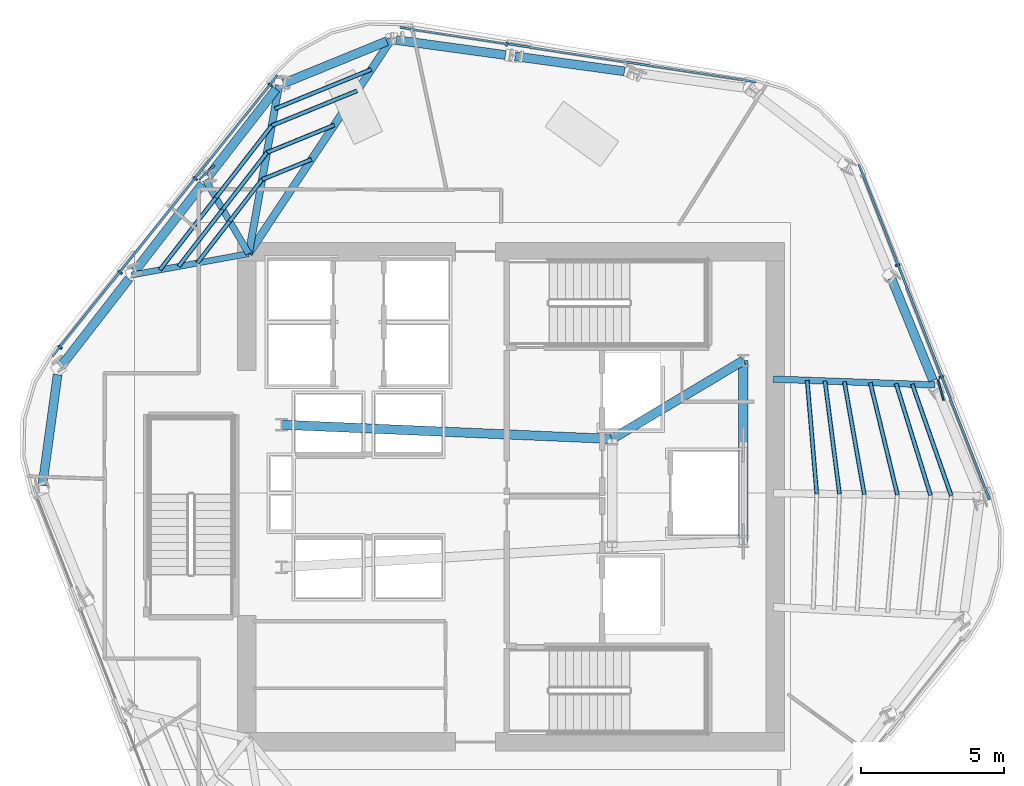
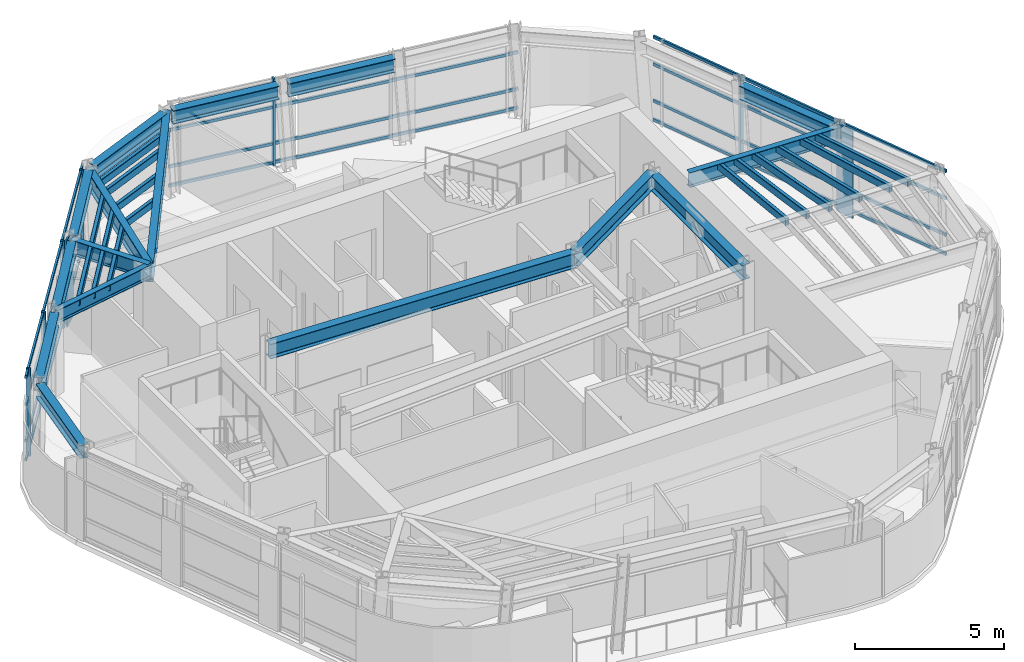
# One storey, part 3 of 12: 36 members, 16 beams, 3 elements without a shape of their own.
"""IFC4 building model written with IfcOpenShell, lengths in metres."""

from ifc_helpers import new_model, si_unit, direction, frame, origin, origin_2d, place, context, subcontext, project, spatial, rectangle, hollow_rectangle, i_section, extrude, material, layer, layer_set, material_profile, profile_set, type_object, element, aggregate, save


model = new_model("IFC4")

# Units and contexts
model_context = context("Model", 3, precision=1e-05, world=origin(), true_north=direction((0.0, 1.0)))
body_context = subcontext(model_context, "Body", "Model", "MODEL_VIEW")
ifc_project = project(units=[si_unit("LENGTHUNIT", "METRE"), si_unit("AREAUNIT", "SQUARE_METRE"), si_unit("VOLUMEUNIT", "CUBIC_METRE"), si_unit("PLANEANGLEUNIT", "RADIAN"), si_unit("MASSUNIT", "GRAM", prefix="KILO")], contexts=[model_context])

# Site, building, storey
site_placement = place(None, origin())
site = spatial("IfcSite", under=ifc_project, at=site_placement, CompositionType="ELEMENT")
building_placement = place(site_placement, origin())
building = spatial("IfcBuilding", under=site, at=building_placement, Name="Valkerne Bourse Tower", CompositionType="ELEMENT")
storey_placement = place(building_placement, frame((0.0, 0.0, 243.60009765625)))
storey = spatial("IfcBuildingStorey", under=building, at=storey_placement, Name="L62", CompositionType="ELEMENT", Elevation=243.60009765625)

# Beams
ifc_material_1 = material(Name="Steel ASTM A992", Category="steel")
ifc_material_profile_1 = material_profile(ifc_material_1, i_section(OverallWidth=0.31494140625, OverallDepth=0.5537109375, WebThickness=0.0166015625, FlangeThickness=0.026123046875, FilletRadius=0.020263671875, at=origin_2d()), Name="W21X132")
ifc_profile_set_1 = profile_set([ifc_material_profile_1], Name="Steel ASTM A992")
beam_type_1 = type_object("IfcBeamType", Name="BM-W21X132", PredefinedType="BEAM", material=ifc_profile_set_1)
beam_1_placement = place(storey_placement, frame((50.78076171875, 41.79541015625, 3.322998046875), z_axis=(-0.990751343804, 0.135689995027, 0.0), x_axis=(-0.135689995027, -0.990751343804, 0.0)))
element("IfcBeam", 1, at=beam_1_placement, inside=storey, type_object=beam_type_1, Name="L62 Hexagonal Spandrel Ring Beam 01", PredefinedType="BEAM", context=body_context, shape_type="SweptSolid", body=[
    extrude(i_section(OverallWidth=0.31494140625, OverallDepth=0.5537109375, WebThickness=0.0166015625, FlangeThickness=0.026123046875, FilletRadius=0.020263671875, at=origin_2d()), origin(), (0.0, 0.0, 1.0), 3.8720703125),
])
beam_2_placement = place(storey_placement, frame((46.60791015625, 42.366943359375, 3.322998046875), z_axis=(-0.990744027272, 0.135743406562, 0.0), x_axis=(-0.135743406562, -0.990744027272, 0.0)))
element("IfcBeam", 2, at=beam_2_placement, inside=storey, type_object=beam_type_1, Name="L62 Hexagonal Spandrel Ring Beam 02", PredefinedType="BEAM", context=body_context, shape_type="SweptSolid", body=[
    extrude(i_section(OverallWidth=0.31494140625, OverallDepth=0.5537109375, WebThickness=0.0166015625, FlangeThickness=0.026123046875, FilletRadius=0.020263671875, at=origin_2d()), origin(), (0.0, 0.0, 1.0), 3.872314453125),
])
beam_3_placement = place(storey_placement, frame((42.44580078125, 42.851318359375, 3.322998046875), z_axis=(-0.925874352603, -0.377831553992, 0.0), x_axis=(0.377831553992, -0.925874352603, 0.0)))
element("IfcBeam", 3, at=beam_3_placement, inside=storey, type_object=beam_type_1, Name="L62 Hexagonal Spandrel Ring Beam 03", PredefinedType="BEAM", context=body_context, shape_type="SweptSolid", body=[
    extrude(i_section(OverallWidth=0.31494140625, OverallDepth=0.5537109375, WebThickness=0.0166015625, FlangeThickness=0.026123046875, FilletRadius=0.020263671875, at=origin_2d()), origin(), (0.0, 0.0, 1.0), 3.915771484375),
])
for number, where, z_axis, x_axis, name in (
    (4, (38.558837890625, 41.17333984375, 3.322998046875), (-0.612914311308, -0.790149382708, 0.0), (0.790149382708, -0.612914311308, 0.0), "L62 Hexagonal Spandrel Ring Beam 04"),
    (5, (35.977294921875, 37.84521484375, 3.322998046875), (-0.612914311308, -0.790149382708, 0.0), (0.790149382708, -0.612914311308, 0.0), "L62 Hexagonal Spandrel Ring Beam 05"),
    (6, (33.395751953125, 34.51708984375, 3.322998046875), (-0.612914311308, -0.790149382708, 0.0), (0.790149382708, -0.612914311308, 0.0), "L62 Hexagonal Spandrel Ring Beam 06"),
):
    element("IfcBeam", number, at=place(storey_placement, frame(where, z_axis=z_axis, x_axis=x_axis)), inside=storey, type_object=beam_type_1, Name=name, PredefinedType="BEAM", context=body_context, shape_type="SweptSolid", body=[
        extrude(i_section(OverallWidth=0.31494140625, OverallDepth=0.5537109375, WebThickness=0.0166015625, FlangeThickness=0.026123046875, FilletRadius=0.020263671875, at=origin_2d()), origin(), (0.0, 0.0, 1.0), 3.8720703125),
    ])
beam_4_placement = place(storey_placement, frame((30.895263671875, 31.15478515625, 3.322998046875), z_axis=(-0.135736427254, -0.990744983493, 0.0), x_axis=(0.990744983493, -0.135736427254, 0.0)))
element("IfcBeam", 7, at=beam_4_placement, inside=storey, type_object=beam_type_1, Name="L62 Hexagonal Spandrel Ring Beam 07", PredefinedType="BEAM", context=body_context, shape_type="SweptSolid", body=[
    extrude(i_section(OverallWidth=0.31494140625, OverallDepth=0.5537109375, WebThickness=0.0166015625, FlangeThickness=0.026123046875, FilletRadius=0.020263671875, at=origin_2d()), origin(), (0.0, 0.0, 1.0), 3.91552734375),
])
beam_5_placement = place(storey_placement, frame((61.603515625, 30.9501953125, 3.322998046875), z_axis=(-0.377871627849, 0.925857998219, 0.0), x_axis=(-0.925857998219, -0.377871627849, 0.0)))
element("IfcBeam", 8, at=beam_5_placement, inside=storey, type_object=beam_type_1, Name="L62 Hexagonal Spandrel Ring Beam 21", PredefinedType="BEAM", context=body_context, shape_type="SweptSolid", body=[
    extrude(i_section(OverallWidth=0.31494140625, OverallDepth=0.5537109375, WebThickness=0.0166015625, FlangeThickness=0.026123046875, FilletRadius=0.020263671875, at=origin_2d()), origin(), (0.0, 0.0, 1.0), 3.8720703125),
])
ifc_material_profile_2 = material_profile(ifc_material_1, i_section(OverallWidth=0.2138671875, OverallDepth=0.548583984375, WebThickness=0.0146484375, FlangeThickness=0.023681640625, FilletRadius=0.017822265625, at=origin_2d()), Name="W21X93")
ifc_profile_set_2 = profile_set([ifc_material_profile_2], Name="Steel ASTM A992")
beam_type_2 = type_object("IfcBeamType", Name="BM-W21X93", PredefinedType="BEAM", material=ifc_profile_set_2)
beam_6_placement = place(storey_placement, frame((33.5, 34.6513671875, 3.32568359375), z_axis=(0.983740315161, 0.179596749213, 0.0), x_axis=(-0.179596749213, 0.983740315161, 0.0)))
element("IfcBeam", 9, at=beam_6_placement, inside=storey, type_object=beam_type_2, Name="L62 Radial Composite Floor Beam 06", PredefinedType="BEAM", context=body_context, shape_type="SweptSolid", body=[
    extrude(i_section(OverallWidth=0.2138671875, OverallDepth=0.548583984375, WebThickness=0.0146484375, FlangeThickness=0.023681640625, FilletRadius=0.017822265625, at=origin_2d()), origin(), (0.0, 0.0, 1.0), 4.16796875),
])
ifc_material_profile_3 = material_profile(ifc_material_1, i_section(OverallWidth=0.3251953125, OverallDepth=0.612060546875, WebThickness=0.0126953125, FlangeThickness=0.01904296875, FilletRadius=0.020263671875, at=origin_2d()), Name="W24X104")
ifc_profile_set_3 = profile_set([ifc_material_profile_3], Name="Steel ASTM A992")
beam_type_3 = type_object("IfcBeamType", Name="BM-W24X104", PredefinedType="BEAM", material=ifc_profile_set_3)
beam_7_placement = place(storey_placement, frame((50.35009765625, 28.89990234375, 3.293701171875), z_axis=(0.858307823492, 0.513135148019, 0.0), x_axis=(-0.513135148019, 0.858307823492, 0.0)))
element("IfcBeam", 10, at=beam_7_placement, inside=storey, type_object=beam_type_3, Name="L62 Core Frame Girder CG-NE", PredefinedType="BEAM", context=body_context, shape_type="SweptSolid", body=[
    extrude(i_section(OverallWidth=0.3251953125, OverallDepth=0.612060546875, WebThickness=0.0126953125, FlangeThickness=0.01904296875, FilletRadius=0.020263671875, at=origin_2d()), origin(), (0.0, 0.0, 1.0), 5.359130859375),
])
beam_8_placement = place(storey_placement, frame((54.949951171875, 25.300048828125, 3.293701171875), z_axis=(0.0, 1.0, 0.0), x_axis=(-1.0, 0.0, 0.0)))
element("IfcBeam", 11, at=beam_8_placement, inside=storey, type_object=beam_type_3, Name="L62 Core Frame Girder CG-EE", PredefinedType="BEAM", context=body_context, shape_type="SweptSolid", body=[
    extrude(i_section(OverallWidth=0.3251953125, OverallDepth=0.612060546875, WebThickness=0.0126953125, FlangeThickness=0.01904296875, FilletRadius=0.020263671875, at=origin_2d()), origin(), (0.0, 0.0, 1.0), 6.349853515625),
])
beam_9_placement = place(storey_placement, frame((38.75, 29.39990234375, 3.293701171875), z_axis=(0.999072354402, -0.043063101019, 0.0), x_axis=(0.043063101019, 0.999072354402, 0.0)))
element("IfcBeam", 12, at=beam_9_placement, inside=storey, type_object=beam_type_3, Name="L62 Core Frame Girder CG-NW", PredefinedType="BEAM", context=body_context, shape_type="SweptSolid", body=[
    extrude(i_section(OverallWidth=0.3251953125, OverallDepth=0.612060546875, WebThickness=0.0126953125, FlangeThickness=0.01904296875, FilletRadius=0.020263671875, at=origin_2d()), origin(), (0.0, 0.0, 1.0), 11.61083984375),
])
ifc_material_profile_4 = material_profile(ifc_material_1, i_section(OverallWidth=0.228271484375, OverallDepth=0.607177734375, WebThickness=0.01123046875, FlangeThickness=0.017333984375, FilletRadius=0.017822265625, at=origin_2d()), Name="W24X76")
ifc_profile_set_4 = profile_set([ifc_material_profile_4], Name="Steel ASTM A992")
beam_type_4 = type_object("IfcBeamType", Name="BM-W24X76", PredefinedType="JOIST", material=ifc_profile_set_4)
beam_10_placement = place(storey_placement, frame((36.081298828125, 37.9794921875, 3.29638671875), z_axis=(0.507365811786, -0.861730777581, 0.0), x_axis=(0.861730777581, 0.507365811786, 0.0)))
element("IfcBeam", 13, at=beam_10_placement, inside=storey, type_object=beam_type_4, Name="L62 Radial Composite Floor Beam 05", PredefinedType="JOIST", context=body_context, shape_type="SweptSolid", body=[
    extrude(i_section(OverallWidth=0.228271484375, OverallDepth=0.607177734375, WebThickness=0.01123046875, FlangeThickness=0.017333984375, FilletRadius=0.017822265625, at=origin_2d()), origin(), (0.0, 0.0, 1.0), 2.993408203125),
])
beam_11_placement = place(storey_placement, frame((61.667724609375, 30.792724609375, 3.29638671875), z_axis=(-0.999331944352, 0.03654675084, 0.0), x_axis=(-0.03654675084, -0.999331944352, 0.0)))
element("IfcBeam", 14, at=beam_11_placement, inside=storey, type_object=beam_type_4, Name="L62 Radial Composite Floor Beam 21", PredefinedType="JOIST", context=body_context, shape_type="SweptSolid", body=[
    extrude(i_section(OverallWidth=0.228271484375, OverallDepth=0.607177734375, WebThickness=0.01123046875, FlangeThickness=0.017333984375, FilletRadius=0.017822265625, at=origin_2d()), origin(), (0.0, 0.0, 1.0), 5.671630859375),
])
ifc_material_profile_5 = material_profile(ifc_material_1, i_section(OverallWidth=0.255859375, OverallDepth=0.693359375, WebThickness=0.014404296875, FlangeThickness=0.023681640625, FilletRadius=0.02294921875, at=origin_2d()), Name="W27X114")
ifc_profile_set_5 = profile_set([ifc_material_profile_5], Name="Steel ASTM A992")
beam_type_5 = type_object("IfcBeamType", Name="BM-W27X114", PredefinedType="BEAM", material=ifc_profile_set_5)
beam_12_placement = place(storey_placement, frame((38.6630859375, 41.3076171875, 3.253173828125), z_axis=(-0.177088388265, -0.984194951593, 0.0), x_axis=(0.984194951593, -0.177088388265, 0.0)))
element("IfcBeam", 15, at=beam_12_placement, inside=storey, type_object=beam_type_5, Name="L62 Radial Composite Floor Beam 04", PredefinedType="BEAM", context=body_context, shape_type="SweptSolid", body=[
    extrude(i_section(OverallWidth=0.255859375, OverallDepth=0.693359375, WebThickness=0.014404296875, FlangeThickness=0.023681640625, FilletRadius=0.02294921875, at=origin_2d()), origin(), (0.0, 0.0, 1.0), 6.002685546875),
])
ifc_material_profile_6 = material_profile(ifc_material_1, i_section(OverallWidth=0.26806640625, OverallDepth=0.76953125, WebThickness=0.015625, FlangeThickness=0.025390625, FilletRadius=0.025390625, at=origin_2d()), Name="W30X132")
ifc_profile_set_6 = profile_set([ifc_material_profile_6], Name="Steel ASTM A992")
beam_type_6 = type_object("IfcBeamType", Name="BM-W30X132", PredefinedType="BEAM", material=ifc_profile_set_6)
beam_13_placement = place(storey_placement, frame((42.603271484375, 42.91552734375, 3.215087890625), z_axis=(-0.554144698649, -0.832420358328, 0.0), x_axis=(0.832420358328, -0.554144698649, 0.0)))
element("IfcBeam", 16, at=beam_13_placement, inside=storey, type_object=beam_type_6, Name="L62 Radial Composite Floor Beam 03", PredefinedType="BEAM", context=body_context, shape_type="SweptSolid", body=[
    extrude(i_section(OverallWidth=0.26806640625, OverallDepth=0.76953125, WebThickness=0.015625, FlangeThickness=0.025390625, FilletRadius=0.025390625, at=origin_2d()), origin(), (0.0, 0.0, 1.0), 9.028564453125),
])

# Curtain wall, member
ifc_material_2 = material(Name="Aluminium AA 6063-T6", Category="aluminium")
ifc_layer = layer(ifc_material_2, 0.239990234375)
ifc_layer_set = layer_set([ifc_layer], Name="Aluminium AA 6063-T6")
curtain_wall_type = type_object("IfcCurtainWallType", Name="CW-04", PredefinedType="NOTDEFINED", material=ifc_layer_set)
curtain_wall_1_placement = place(storey_placement, origin())
curtain_wall_1 = element("IfcCurtainWall", 17, at=curtain_wall_1_placement, inside=storey, type_object=curtain_wall_type, Name="L62 Hexagonal Stick Curtain Wall Face 1", PredefinedType="NOTDEFINED")
ifc_material_profile_7 = material_profile(ifc_material_2, rectangle(XDim=0.074951171875, YDim=0.159912109375, at=origin_2d()), Name="CWM-75X160")
ifc_profile_set_7 = profile_set([ifc_material_profile_7], Name="Aluminium AA 6063-T6")
member_type_1 = type_object("IfcMemberType", Name="CW-MUL-160X75", PredefinedType="MULLION", material=ifc_profile_set_7)
member_1_placement = place(storey_placement, frame((46.653564453125, 42.741943359375, 0.0), z_axis=(0.0, 0.0, 1.0), x_axis=(-0.988494065285, 0.151259653894, 0.0)))
member_1 = element("IfcMember", 18, at=member_1_placement, type_object=member_type_1, Name="CW-L62-F1 Jamb Mullion 02A", PredefinedType="MULLION", context=body_context, shape_type="SweptSolid", body=[
    extrude(rectangle(XDim=0.074951171875, YDim=0.159912109375, at=origin_2d()), origin(), (0.0, 0.0, 1.0), 3.599853515625),
])

# Curtain wall, members
curtain_wall_2_placement = place(storey_placement, origin())
curtain_wall_2 = element("IfcCurtainWall", 19, at=curtain_wall_2_placement, inside=storey, type_object=curtain_wall_type, Name="L62 Hexagonal Stick Curtain Wall Face 2", PredefinedType="NOTDEFINED")
member_2_placement = place(storey_placement, frame((38.36083984375, 41.318603515625, 0.0), z_axis=(0.0, 0.0, 1.0), x_axis=(-0.625236322799, -0.780435481416, 0.0)))
member_2 = element("IfcMember", 20, at=member_2_placement, type_object=member_type_1, Name="CW-L62-F2 Jamb Mullion 00A", PredefinedType="MULLION", context=body_context, shape_type="SweptSolid", body=[
    extrude(rectangle(XDim=0.074951171875, YDim=0.159912109375, at=origin_2d()), origin(), (0.0, 0.0, 1.0), 3.599853515625),
])
member_3_placement = place(storey_placement, frame((35.727294921875, 38.03125, 0.0), z_axis=(0.0, 0.0, 1.0), x_axis=(-0.625236322799, -0.780435481416, 0.0)))
member_3 = element("IfcMember", 21, at=member_3_placement, type_object=member_type_1, Name="CW-L62-F2 Jamb Mullion 01A", PredefinedType="MULLION", context=body_context, shape_type="SweptSolid", body=[
    extrude(rectangle(XDim=0.074951171875, YDim=0.159912109375, at=origin_2d()), origin(), (0.0, 0.0, 1.0), 3.599853515625),
])
member_4_placement = place(storey_placement, frame((33.09375, 34.744140625, 0.0), z_axis=(0.0, 0.0, 1.0), x_axis=(-0.625236322799, -0.780435481416, 0.0)))
member_4 = element("IfcMember", 22, at=member_4_placement, type_object=member_type_1, Name="CW-L62-F2 Jamb Mullion 02A", PredefinedType="MULLION", context=body_context, shape_type="SweptSolid", body=[
    extrude(rectangle(XDim=0.074951171875, YDim=0.159912109375, at=origin_2d()), origin(), (0.0, 0.0, 1.0), 3.599853515625),
])
member_5_placement = place(storey_placement, frame((30.985595703125, 32.112548828125, 0.0), z_axis=(0.0, 0.0, 1.0), x_axis=(-0.625236322799, -0.780435481416, 0.0)))
member_5 = element("IfcMember", 23, at=member_5_placement, type_object=member_type_1, Name="CW-L62-F2 Jamb Mullion 02B", PredefinedType="MULLION", context=body_context, shape_type="SweptSolid", body=[
    extrude(rectangle(XDim=0.074951171875, YDim=0.159912109375, at=origin_2d()), origin(), (0.0, 0.0, 1.0), 3.599853515625),
])

curtain_wall_3_placement = place(storey_placement, origin())
curtain_wall_3 = element("IfcCurtainWall", 24, at=curtain_wall_3_placement, inside=storey, type_object=curtain_wall_type, Name="L62 Hexagonal Stick Curtain Wall Face 6", PredefinedType="NOTDEFINED")
member_6_placement = place(storey_placement, frame((61.8896484375, 31.073486328125, 0.0), z_axis=(0.0, 0.0, 1.0), x_axis=(-0.363246977807, 0.93169288562, 0.0)))
member_6 = element("IfcMember", 25, at=member_6_placement, type_object=member_type_1, Name="CW-L62-F6 Jamb Mullion 01A", PredefinedType="MULLION", context=body_context, shape_type="SweptSolid", body=[
    extrude(rectangle(XDim=0.074951171875, YDim=0.159912109375, at=origin_2d()), origin(), (0.0, 0.0, 1.0), 3.599853515625),
])
member_7_placement = place(storey_placement, frame((60.359619140625, 34.997802734375, 0.0), z_axis=(0.0, 0.0, 1.0), x_axis=(-0.363246977807, 0.93169288562, 0.0)))
member_7 = element("IfcMember", 26, at=member_7_placement, type_object=member_type_1, Name="CW-L62-F6 Jamb Mullion 02A", PredefinedType="MULLION", context=body_context, shape_type="SweptSolid", body=[
    extrude(rectangle(XDim=0.074951171875, YDim=0.159912109375, at=origin_2d()), origin(), (0.0, 0.0, 1.0), 3.599853515625),
])

# Member
ifc_material_profile_8 = material_profile(ifc_material_2, rectangle(XDim=0.074951171875, YDim=0.1201171875, at=origin_2d()), Name="CWT-75X120")
ifc_profile_set_8 = profile_set([ifc_material_profile_8], Name="Aluminium AA 6063-T6")
member_type_2 = type_object("IfcMemberType", Name="CW-TRN-120X75", PredefinedType="USERDEFINED", material=ifc_profile_set_8)
member_8_placement = place(storey_placement, frame((55.398681640625, 41.424072265625, 0.119873046875), z_axis=(-0.988493115784, 0.151265858828, 0.0), x_axis=(-0.151265858828, -0.988493115784, 0.0)))
member_8 = element("IfcMember", 27, at=member_8_placement, type_object=member_type_2, Name="CW-L62-F1 Continuous Face Transom 1", ObjectType="TRANSOM", PredefinedType="USERDEFINED", context=body_context, shape_type="SweptSolid", body=[
    extrude(rectangle(XDim=0.074951171875, YDim=0.1201171875, at=origin_2d()), origin(), (0.0, 0.0, 1.0), 12.635986328125),
])

member_9_placement = place(storey_placement, frame((55.398681640625, 41.424072265625, 0.89990234375), z_axis=(-0.988493115784, 0.151265858828, 0.0), x_axis=(-0.151265858828, -0.988493115784, 0.0)))
member_9 = element("IfcMember", 28, at=member_9_placement, type_object=member_type_2, Name="CW-L62-F1 Continuous Face Transom 2", ObjectType="TRANSOM", PredefinedType="USERDEFINED", context=body_context, shape_type="SweptSolid", body=[
    extrude(rectangle(XDim=0.074951171875, YDim=0.1201171875, at=origin_2d()), origin(), (0.0, 0.0, 1.0), 12.635986328125),
])

member_10_placement = place(storey_placement, frame((55.398681640625, 41.424072265625, 2.39990234375), z_axis=(-0.988493115784, 0.151265858828, 0.0), x_axis=(-0.151265858828, -0.988493115784, 0.0)))
member_10 = element("IfcMember", 29, at=member_10_placement, type_object=member_type_2, Name="CW-L62-F1 Continuous Face Transom 3", ObjectType="TRANSOM", PredefinedType="USERDEFINED", context=body_context, shape_type="SweptSolid", body=[
    extrude(rectangle(XDim=0.074951171875, YDim=0.1201171875, at=origin_2d()), origin(), (0.0, 0.0, 1.0), 12.635986328125),
])

aggregate(curtain_wall_1, [member_8, member_9, member_10, member_1])

member_11_placement = place(storey_placement, frame((38.607666015625, 41.65869140625, 0.119873046875), z_axis=(-0.625232121684, -0.780438847069, 0.0), x_axis=(0.780438847069, -0.625232121684, 0.0)))
member_11 = element("IfcMember", 30, at=member_11_placement, type_object=member_type_2, Name="CW-L62-F2 Continuous Face Transom 1", ObjectType="TRANSOM", PredefinedType="USERDEFINED", context=body_context, shape_type="SweptSolid", body=[
    extrude(rectangle(XDim=0.074951171875, YDim=0.1201171875, at=origin_2d()), origin(), (0.0, 0.0, 1.0), 12.635986328125),
])

member_12_placement = place(storey_placement, frame((38.607666015625, 41.65869140625, 0.89990234375), z_axis=(-0.625232121684, -0.780438847069, 0.0), x_axis=(0.780438847069, -0.625232121684, 0.0)))
member_12 = element("IfcMember", 31, at=member_12_placement, type_object=member_type_2, Name="CW-L62-F2 Continuous Face Transom 2", ObjectType="TRANSOM", PredefinedType="USERDEFINED", context=body_context, shape_type="SweptSolid", body=[
    extrude(rectangle(XDim=0.074951171875, YDim=0.1201171875, at=origin_2d()), origin(), (0.0, 0.0, 1.0), 12.635986328125),
])

member_13_placement = place(storey_placement, frame((38.607666015625, 41.65869140625, 2.39990234375), z_axis=(-0.625232121684, -0.780438847069, 0.0), x_axis=(0.780438847069, -0.625232121684, 0.0)))
member_13 = element("IfcMember", 32, at=member_13_placement, type_object=member_type_2, Name="CW-L62-F2 Continuous Face Transom 3", ObjectType="TRANSOM", PredefinedType="USERDEFINED", context=body_context, shape_type="SweptSolid", body=[
    extrude(rectangle(XDim=0.074951171875, YDim=0.1201171875, at=origin_2d()), origin(), (0.0, 0.0, 1.0), 12.635986328125),
])

member_14_placement = place(storey_placement, frame((38.607666015625, 41.65869140625, 3.52001953125), z_axis=(-0.625232121684, -0.780438847069, 0.0), x_axis=(0.780438847069, -0.625232121684, 0.0)))
member_14 = element("IfcMember", 33, at=member_14_placement, type_object=member_type_2, Name="CW-L62-F2 Continuous Face Transom 4", ObjectType="TRANSOM", PredefinedType="USERDEFINED", context=body_context, shape_type="SweptSolid", body=[
    extrude(rectangle(XDim=0.074951171875, YDim=0.1201171875, at=origin_2d()), origin(), (0.0, 0.0, 1.0), 12.635986328125),
])

aggregate(curtain_wall_2, [member_11, member_12, member_13, member_14, member_2, member_3, member_4, member_5])

member_15_placement = place(storey_placement, frame((63.591064453125, 26.765380859375, 0.119873046875), z_axis=(-0.363258236345, 0.93168849608, 0.0), x_axis=(-0.93168849608, -0.363258236345, 0.0)))
member_15 = element("IfcMember", 34, at=member_15_placement, type_object=member_type_2, Name="CW-L62-F6 Continuous Face Transom 1", ObjectType="TRANSOM", PredefinedType="USERDEFINED", context=body_context, shape_type="SweptSolid", body=[
    extrude(rectangle(XDim=0.074951171875, YDim=0.1201171875, at=origin_2d()), origin(), (0.0, 0.0, 1.0), 12.635986328125),
])

member_16_placement = place(storey_placement, frame((63.591064453125, 26.765380859375, 0.89990234375), z_axis=(-0.363258236345, 0.93168849608, 0.0), x_axis=(-0.93168849608, -0.363258236345, 0.0)))
member_16 = element("IfcMember", 35, at=member_16_placement, type_object=member_type_2, Name="CW-L62-F6 Continuous Face Transom 2", ObjectType="TRANSOM", PredefinedType="USERDEFINED", context=body_context, shape_type="SweptSolid", body=[
    extrude(rectangle(XDim=0.074951171875, YDim=0.1201171875, at=origin_2d()), origin(), (0.0, 0.0, 1.0), 12.635986328125),
])

member_17_placement = place(storey_placement, frame((63.591064453125, 26.765380859375, 2.39990234375), z_axis=(-0.363258236345, 0.93168849608, 0.0), x_axis=(-0.93168849608, -0.363258236345, 0.0)))
member_17 = element("IfcMember", 36, at=member_17_placement, type_object=member_type_2, Name="CW-L62-F6 Continuous Face Transom 3", ObjectType="TRANSOM", PredefinedType="USERDEFINED", context=body_context, shape_type="SweptSolid", body=[
    extrude(rectangle(XDim=0.074951171875, YDim=0.1201171875, at=origin_2d()), origin(), (0.0, 0.0, 1.0), 12.635986328125),
])

member_18_placement = place(storey_placement, frame((63.591064453125, 26.765380859375, 3.52001953125), z_axis=(-0.363258236345, 0.93168849608, 0.0), x_axis=(-0.93168849608, -0.363258236345, 0.0)))
member_18 = element("IfcMember", 37, at=member_18_placement, type_object=member_type_2, Name="CW-L62-F6 Continuous Face Transom 4", ObjectType="TRANSOM", PredefinedType="USERDEFINED", context=body_context, shape_type="SweptSolid", body=[
    extrude(rectangle(XDim=0.074951171875, YDim=0.1201171875, at=origin_2d()), origin(), (0.0, 0.0, 1.0), 12.635986328125),
])

aggregate(curtain_wall_3, [member_15, member_16, member_17, member_18, member_6, member_7])

# Members
ifc_material_3 = material(Name="Bronze Anodised Aluminium AA 6063-T6", Category="aluminium")
ifc_material_profile_9 = material_profile(ifc_material_3, rectangle(XDim=0.06494140625, YDim=0.75, at=origin_2d()), Name="FIN-65X750")
ifc_profile_set_9 = profile_set([ifc_material_profile_9], Name="Bronze Anodised Aluminium AA 6063-T6")
member_type_3 = type_object("IfcMemberType", Name="FIN-SOLAR-650", PredefinedType="USERDEFINED", material=ifc_profile_set_9)
for number, where, z_axis, x_axis, name in (
    (38, (36.13037109375, 38.24658203125, 0.00390625), (0.0, 0.0, 1.0), (-0.683668478359, 0.72979271831, 0.0), "L62 Bronze Anodised Solar Fin F2-01"),
    (39, (61.87451171875, 30.616943359375, 0.00390625), (0.0, 0.0, 1.0), (0.963450216949, 0.267887438044, 0.0), "L62 Bronze Anodised Solar Fin F6-01"),
):
    element("IfcMember", number, at=place(storey_placement, frame(where, z_axis=z_axis, x_axis=x_axis)), inside=storey, type_object=member_type_3, Name=name, ObjectType="SOLAR_FIN", PredefinedType="USERDEFINED", context=body_context, shape_type="SweptSolid", body=[
        extrude(rectangle(XDim=0.06494140625, YDim=0.75, at=origin_2d()), origin(), (0.0, 0.0, 1.0), 3.592041015625),
    ])
ifc_material_4 = material(Name="Steel ASTM A500 Grade C", Category="steel")
ifc_material_profile_10 = material_profile(ifc_material_4, hollow_rectangle(XDim=0.14990234375, YDim=0.300048828125, WallThickness=0.012451171875, OuterFilletRadius=0.02490234375, at=origin_2d()), Name="HSS300X150X12.5")
ifc_profile_set_10 = profile_set([ifc_material_profile_10], Name="Steel ASTM A500 Grade C")
member_type_4 = type_object("IfcMemberType", Name="MBR-HSS300X150X12.5", PredefinedType="PURLIN", material=ifc_profile_set_10)
member_19_placement = place(storey_placement, frame((58.322998046875, 26.9658203125, 3.43994140625), z_axis=(-0.127309034411, 0.99186310031, 0.0), x_axis=(-0.99186310031, -0.127309034411, 0.0)))
element("IfcMember", 40, at=member_19_placement, inside=storey, type_object=member_type_4, Name="L62 Secondary Composite Floor Purlin I-20", PredefinedType="PURLIN", context=body_context, shape_type="SweptSolid", body=[
    extrude(hollow_rectangle(XDim=0.14990234375, YDim=0.300048828125, WallThickness=0.012451171875, OuterFilletRadius=0.02490234375, at=origin_2d()), origin(), (0.0, 0.0, 1.0), 4.000244140625),
])
member_20_placement = place(storey_placement, frame((39.801513671875, 38.706787109375, 3.43994140625), z_axis=(-0.925883012968, -0.377810331115, 0.0), x_axis=(0.377810331115, -0.925883012968, 0.0)))
element("IfcMember", 41, at=member_20_placement, inside=storey, type_object=member_type_4, Name="L62 Secondary Composite Floor Purlin K-03", PredefinedType="PURLIN", context=body_context, shape_type="SweptSolid", body=[
    extrude(hollow_rectangle(XDim=0.14990234375, YDim=0.300048828125, WallThickness=0.012451171875, OuterFilletRadius=0.02490234375, at=origin_2d()), origin(), (0.0, 0.0, 1.0), 1.872802734375),
])
for number, where, z_axis, x_axis, name in (
    (42, (38.067626953125, 37.999267578125, 3.43994140625), (-0.612863812021, -0.790188552129, 0.0), (0.790188552129, -0.612863812021, 0.0), "L62 Secondary Composite Floor Purlin K-04"),
    (43, (36.931884765625, 36.534912109375, 3.43994140625), (-0.612946061497, -0.790124753248, 0.0), (0.790124753248, -0.612946061497, 0.0), "L62 Secondary Composite Floor Purlin K-05"),
):
    element("IfcMember", number, at=place(storey_placement, frame(where, z_axis=z_axis, x_axis=x_axis)), inside=storey, type_object=member_type_4, Name=name, PredefinedType="PURLIN", context=body_context, shape_type="SweptSolid", body=[
        extrude(hollow_rectangle(XDim=0.14990234375, YDim=0.300048828125, WallThickness=0.012451171875, OuterFilletRadius=0.02490234375, at=origin_2d()), origin(), (0.0, 0.0, 1.0), 1.853271484375),
    ])
member_21_placement = place(storey_placement, frame((59.194091796875, 26.952880859375, 3.43994140625), z_axis=(-0.174294941392, 0.984693492111, 0.0), x_axis=(-0.984693492111, -0.174294941392, 0.0)))
element("IfcMember", 44, at=member_21_placement, inside=storey, type_object=member_type_4, Name="L62 Secondary Composite Floor Purlin K-20", PredefinedType="PURLIN", context=body_context, shape_type="SweptSolid", body=[
    extrude(hollow_rectangle(XDim=0.14990234375, YDim=0.300048828125, WallThickness=0.012451171875, OuterFilletRadius=0.02490234375, at=origin_2d()), origin(), (0.0, 0.0, 1.0), 4.017333984375),
])
member_22_placement = place(storey_placement, frame((41.40234375, 41.11181640625, 3.43994140625), z_axis=(-0.925877286802, -0.377824363672, 0.0), x_axis=(0.377824363672, -0.925877286802, 0.0)))
element("IfcMember", 45, at=member_22_placement, inside=storey, type_object=member_type_4, Name="L62 Secondary Composite Floor Purlin O-03", PredefinedType="PURLIN", context=body_context, shape_type="SweptSolid", body=[
    extrude(hollow_rectangle(XDim=0.14990234375, YDim=0.300048828125, WallThickness=0.012451171875, OuterFilletRadius=0.02490234375, at=origin_2d()), origin(), (0.0, 0.0, 1.0), 3.234130859375),
])
member_23_placement = place(storey_placement, frame((38.407958984375, 39.889892578125, 3.43994140625), z_axis=(-0.612915842429, -0.790148195024, 0.0), x_axis=(0.790148195024, -0.612915842429, 0.0)))
element("IfcMember", 46, at=member_23_placement, inside=storey, type_object=member_type_4, Name="L62 Secondary Composite Floor Purlin O-04", PredefinedType="PURLIN", context=body_context, shape_type="SweptSolid", body=[
    extrude(hollow_rectangle(XDim=0.14990234375, YDim=0.300048828125, WallThickness=0.012451171875, OuterFilletRadius=0.02490234375, at=origin_2d()), origin(), (0.0, 0.0, 1.0), 3.201416015625),
])
member_24_placement = place(storey_placement, frame((36.44580078125, 37.3603515625, 3.43994140625), z_axis=(-0.612905161545, -0.790156480041, 0.0), x_axis=(0.790156480041, -0.612905161545, 0.0)))
element("IfcMember", 47, at=member_24_placement, inside=storey, type_object=member_type_4, Name="L62 Secondary Composite Floor Purlin O-05", PredefinedType="PURLIN", context=body_context, shape_type="SweptSolid", body=[
    extrude(hollow_rectangle(XDim=0.14990234375, YDim=0.300048828125, WallThickness=0.012451171875, OuterFilletRadius=0.02490234375, at=origin_2d()), origin(), (0.0, 0.0, 1.0), 3.200927734375),
])
member_25_placement = place(storey_placement, frame((61.51708984375, 26.918701171875, 3.43994140625), z_axis=(-0.294562130748, 0.955632330517, 0.0), x_axis=(-0.955632330517, -0.294562130748, 0.0)))
element("IfcMember", 48, at=member_25_placement, inside=storey, type_object=member_type_4, Name="L62 Secondary Composite Floor Purlin O-20", PredefinedType="PURLIN", context=body_context, shape_type="SweptSolid", body=[
    extrude(hollow_rectangle(XDim=0.14990234375, YDim=0.300048828125, WallThickness=0.012451171875, OuterFilletRadius=0.02490234375, at=origin_2d()), origin(), (0.0, 0.0, 1.0), 4.10595703125),
])
member_26_placement = place(storey_placement, frame((40.601806640625, 39.909423828125, 3.43994140625), z_axis=(-0.925855836263, -0.377876925014, 0.0), x_axis=(0.377876925014, -0.925855836263, 0.0)))
element("IfcMember", 49, at=member_26_placement, inside=storey, type_object=member_type_4, Name="L62 Secondary Composite Floor Purlin Z-03", PredefinedType="PURLIN", context=body_context, shape_type="SweptSolid", body=[
    extrude(hollow_rectangle(XDim=0.14990234375, YDim=0.300048828125, WallThickness=0.012451171875, OuterFilletRadius=0.02490234375, at=origin_2d()), origin(), (0.0, 0.0, 1.0), 2.55322265625),
])
for number, where, z_axis, x_axis, name in (
    (50, (38.23779296875, 38.944580078125, 3.43994140625), (-0.612950314719, -0.790121453756, 0.0), (0.790121453756, -0.612950314719, 0.0), "L62 Secondary Composite Floor Purlin Z-04"),
    (51, (36.688720703125, 36.94775390625, 3.43994140625), (-0.612843216368, -0.790204525519, 0.0), (0.790204525519, -0.612843216368, 0.0), "L62 Secondary Composite Floor Purlin Z-05"),
):
    element("IfcMember", number, at=place(storey_placement, frame(where, z_axis=z_axis, x_axis=x_axis)), inside=storey, type_object=member_type_4, Name=name, PredefinedType="PURLIN", context=body_context, shape_type="SweptSolid", body=[
        extrude(hollow_rectangle(XDim=0.14990234375, YDim=0.300048828125, WallThickness=0.012451171875, OuterFilletRadius=0.02490234375, at=origin_2d()), origin(), (0.0, 0.0, 1.0), 2.52734375),
    ])
member_27_placement = place(storey_placement, frame((60.355712890625, 26.935791015625, 3.43994140625), z_axis=(-0.235586236823, 0.971853448324, 0.0), x_axis=(-0.971853448324, -0.235586236823, 0.0)))
element("IfcMember", 52, at=member_27_placement, inside=storey, type_object=member_type_4, Name="L62 Secondary Composite Floor Purlin Z-20", PredefinedType="PURLIN", context=body_context, shape_type="SweptSolid", body=[
    extrude(hollow_rectangle(XDim=0.14990234375, YDim=0.300048828125, WallThickness=0.012451171875, OuterFilletRadius=0.02490234375, at=origin_2d()), origin(), (0.0, 0.0, 1.0), 4.053955078125),
])
member_28_placement = place(storey_placement, frame((57.5244140625, 26.9775390625, 3.43994140625), z_axis=(-0.083703264297, 0.996490724265, 0.0), x_axis=(-0.996490724265, -0.083703264297, 0.0)))
element("IfcMember", 53, at=member_28_placement, inside=storey, type_object=member_type_4, Name="L62 Secondary Composite Floor Purlin S-20", PredefinedType="PURLIN", context=body_context, shape_type="SweptSolid", body=[
    extrude(hollow_rectangle(XDim=0.14990234375, YDim=0.300048828125, WallThickness=0.012451171875, OuterFilletRadius=0.02490234375, at=origin_2d()), origin(), (0.0, 0.0, 1.0), 3.992919921875),
])
member_29_placement = place(storey_placement, frame((41.90283203125, 41.86328125, 3.43994140625), z_axis=(-0.925878123929, -0.377822312243, 0.0), x_axis=(0.377822312243, -0.925878123929, 0.0)))
element("IfcMember", 54, at=member_29_placement, inside=storey, type_object=member_type_4, Name="L62 Secondary Composite Floor Purlin T-03", PredefinedType="PURLIN", context=body_context, shape_type="SweptSolid", body=[
    extrude(hollow_rectangle(XDim=0.14990234375, YDim=0.300048828125, WallThickness=0.012451171875, OuterFilletRadius=0.02490234375, at=origin_2d()), origin(), (0.0, 0.0, 1.0), 3.659912109375),
])
member_30_placement = place(storey_placement, frame((62.242919921875, 26.908203125, 3.43994140625), z_axis=(-0.330114346206, 0.943940950711, 0.0), x_axis=(-0.943940950711, -0.330114346206, 0.0)))
element("IfcMember", 55, at=member_30_placement, inside=storey, type_object=member_type_4, Name="L62 Secondary Composite Floor Purlin T-20", PredefinedType="PURLIN", context=body_context, shape_type="SweptSolid", body=[
    extrude(hollow_rectangle(XDim=0.14990234375, YDim=0.300048828125, WallThickness=0.012451171875, OuterFilletRadius=0.02490234375, at=origin_2d()), origin(), (0.0, 0.0, 1.0), 4.14599609375),
])

save(model, "model.ifc")
